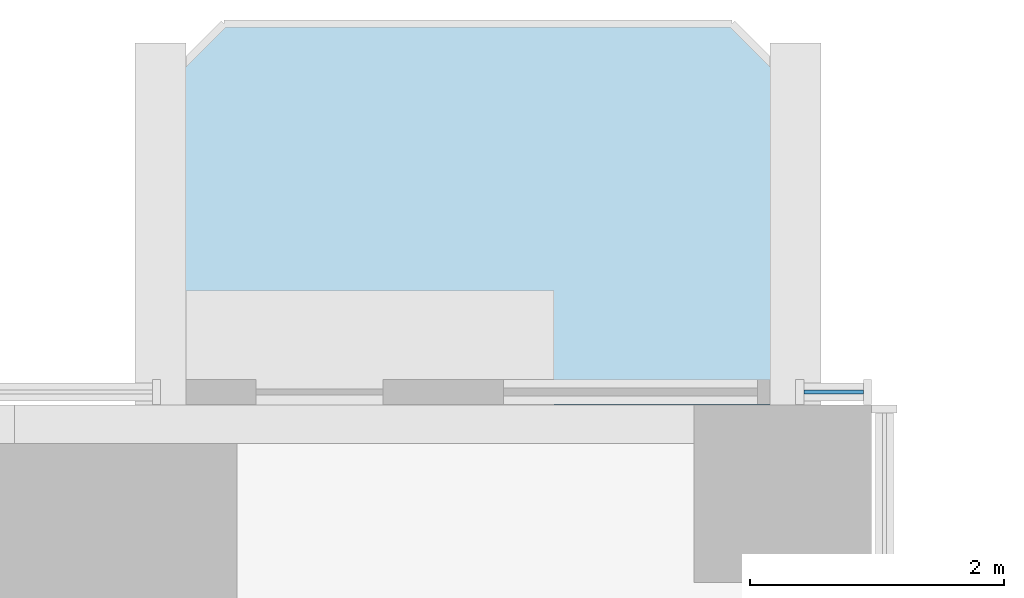
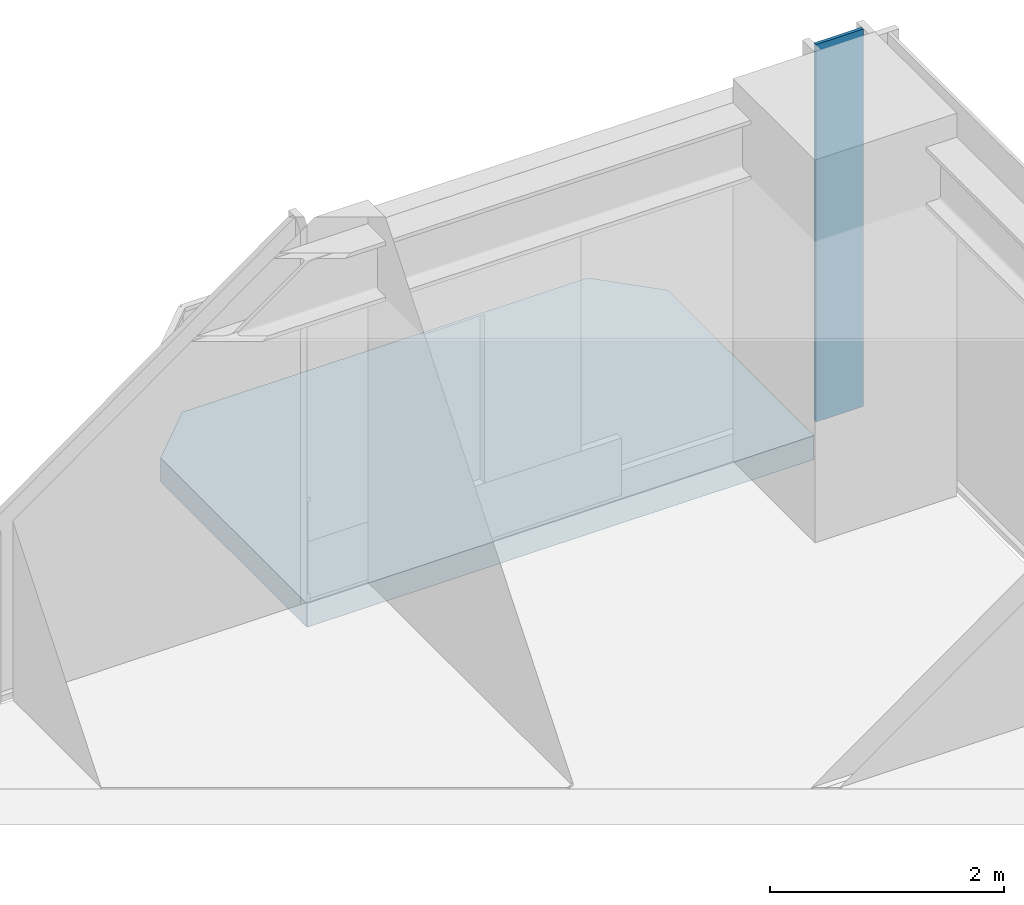
# One storey, part 10 of 18: 1 plate, 1 slab, 1 element without a shape of its own.
"""IFC4 building model written with IfcOpenShell, lengths in metres."""

from ifc_helpers import new_model, si_unit, direction, frame, origin, origin_2d, place, context, subcontext, project, spatial, polyline, rectangle, outline, extrude, material, layer, layer_set, type_object, element, aggregate, save


model = new_model("IFC4")

# Units and contexts
model_context = context("Model", 3, precision=1e-05, world=origin(), true_north=direction((0.0, 1.0)))
body_context = subcontext(model_context, "Body", "Model", "MODEL_VIEW")
ifc_project = project(units=[si_unit("LENGTHUNIT", "METRE"), si_unit("AREAUNIT", "SQUARE_METRE"), si_unit("VOLUMEUNIT", "CUBIC_METRE"), si_unit("PLANEANGLEUNIT", "RADIAN"), si_unit("MASSUNIT", "GRAM", prefix="KILO")], contexts=[model_context])

# Site, building, storey
site_placement = place(None, origin())
site = spatial("IfcSite", under=ifc_project, at=site_placement, CompositionType="ELEMENT")
building_placement = place(site_placement, origin())
building = spatial("IfcBuilding", under=site, at=building_placement, Name="Svetlomir Tower", CompositionType="ELEMENT")
storey_placement = place(building_placement, frame((0.0, 0.0, 54.5)))
storey = spatial("IfcBuildingStorey", under=building, at=storey_placement, Name="L12", CompositionType="ELEMENT", Elevation=54.5)

# Slab
ifc_material_1 = material(Name="Concrete C60/75", Category="concrete")
ifc_layer_1 = layer(ifc_material_1, 0.25)
ifc_layer_set_1 = layer_set([ifc_layer_1], Name="Concrete C60/75")
slab_type = type_object("IfcSlabType", Name="BALCONY SLAB 250", PredefinedType="FLOOR", material=ifc_layer_set_1)
slab_placement = place(storey_placement, frame((0.0, 0.0, -0.25)))
element("IfcSlab", 1, at=slab_placement, inside=storey, type_object=slab_type, Name="L12 N planted balcony", PredefinedType="FLOOR", context=body_context, shape_type="SweptSolid", body=[
    extrude(outline(polyline([(30.39990234375, 42.0), (35.39990234375, 42.0), (35.39990234375, 44.5), (34.89990234375, 45.0), (30.89990234375, 45.0), (30.39990234375, 44.5), (30.39990234375, 42.0)])), origin(), (0.0, 0.0, 1.0), 0.25),
])

# Curtain wall, plate
ifc_material_2 = material(Name="Bronze anodised aluminium curtain wall", Category="aluminium")
curtain_wall_type = type_object("IfcCurtainWallType", Name="CURTAIN WALL CW1 TOWER OFFICE", PredefinedType="NOTDEFINED", material=ifc_material_2)
curtain_wall_placement = place(storey_placement, origin())
curtain_wall = element("IfcCurtainWall", 2, at=curtain_wall_placement, inside=storey, type_object=curtain_wall_type, Name="Curtain wall CW1 L12", PredefinedType="NOTDEFINED")
ifc_material_3 = material(Name="Tinted double glazed unit", Category="glass")
ifc_layer_2 = layer(ifc_material_3, 0.031982421875)
ifc_layer_set_2 = layer_set([ifc_layer_2], Name="Tinted double glazed unit")
plate_type = type_object("IfcPlateType", Name="CW1 GLAZED PANEL 32", PredefinedType="CURTAIN_PANEL", material=ifc_layer_set_2)
plate_placement = place(storey_placement, frame((35.699951171875, 42.10009765625, 0.06494140625), z_axis=(0.0, 0.0, 1.0), x_axis=(-1.0, 0.0, 0.0)))
plate = element("IfcPlate", 3, at=plate_placement, type_object=plate_type, Name="CW1 panel 1.1", PredefinedType="CURTAIN_PANEL", context=body_context, shape_type="SweptSolid", body=[
    extrude(rectangle(XDim=0.469970703125, YDim=0.031982421875, at=origin_2d()), origin(), (0.0, 0.0, 1.0), 3.93505859375),
])
aggregate(curtain_wall, [plate])

save(model, "model.ifc")
